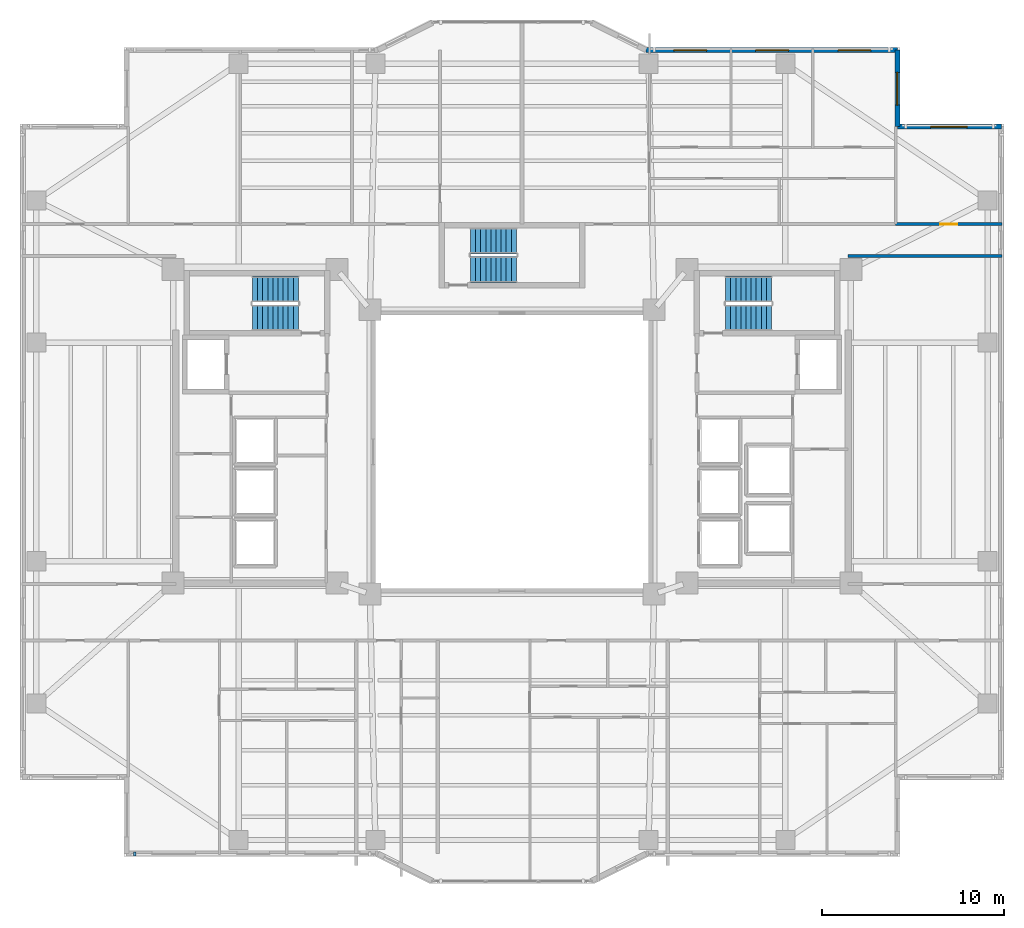
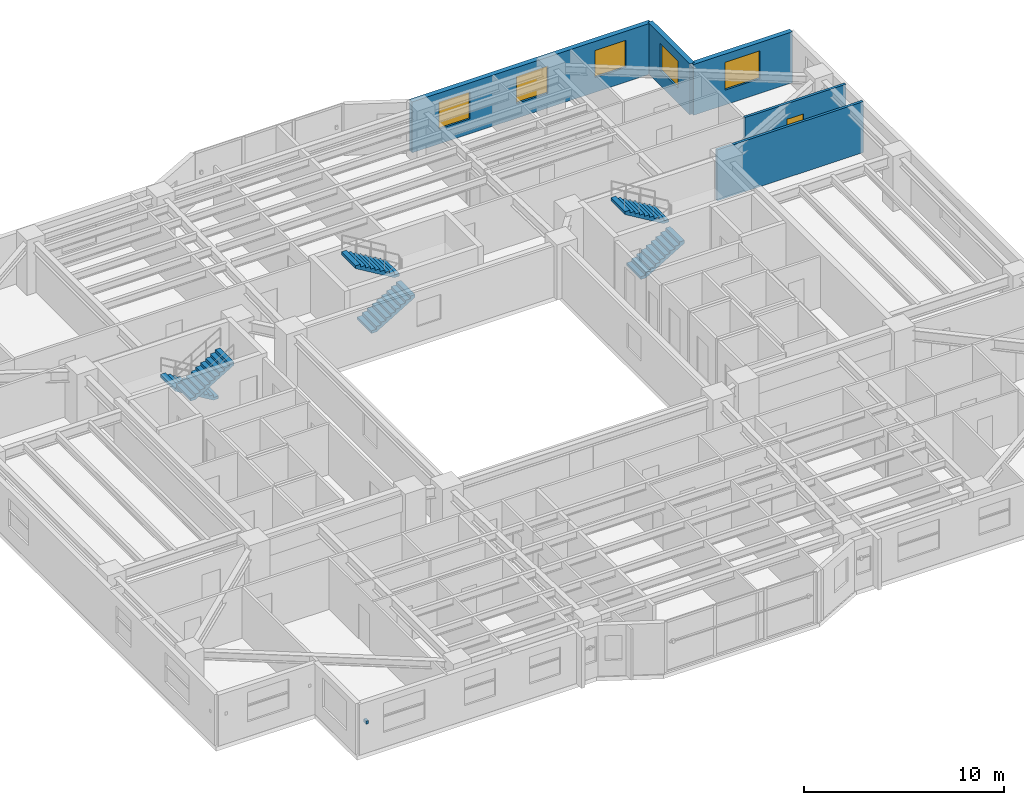
# One storey, part 11 of 18: 6 stair flights, 5 walls, 5 windows, 1 discrete accessory, 1 door, 6 openings, 3 elements without a shape of their own.
"""IFC4 building model written with IfcOpenShell, lengths in metres."""

from ifc_helpers import new_model, si_unit, direction, frame, frame_2d, origin, origin_2d, place, context, subcontext, project, spatial, polyline, rectangle, outline, extrude, material, layer, layer_set, type_object, element, fill, aggregate, save


model = new_model("IFC4")

# Units and contexts
model_context = context("Model", 3, precision=1e-05, world=origin(), true_north=direction((0.0, 1.0)))
body_context = subcontext(model_context, "Body", "Model", "MODEL_VIEW")
ifc_project = project(units=[si_unit("LENGTHUNIT", "METRE"), si_unit("AREAUNIT", "SQUARE_METRE"), si_unit("VOLUMEUNIT", "CUBIC_METRE"), si_unit("PLANEANGLEUNIT", "RADIAN"), si_unit("MASSUNIT", "GRAM", prefix="KILO")], contexts=[model_context])

# Site, building, storey
site_placement = place(None, origin())
site = spatial("IfcSite", under=ifc_project, at=site_placement, CompositionType="ELEMENT")
building_placement = place(site_placement, origin())
building = spatial("IfcBuilding", under=site, at=building_placement, Name="Tarnavaz Court Tower", CompositionType="ELEMENT")
storey_placement = place(building_placement, frame((0.0, 0.0, 88.35009765625)))
storey = spatial("IfcBuildingStorey", under=building, at=storey_placement, Name="L23", CompositionType="ELEMENT", Elevation=88.35009765625)

# Wall, openings, windows
ifc_material_1 = material(Name="Precast Concrete C40/50", Category="concrete")
ifc_layer_1 = layer(ifc_material_1, 0.280029296875)
ifc_layer_set_1 = layer_set([ifc_layer_1], Name="Precast Concrete C40/50")
wall_type_1 = type_object("IfcWallType", Name="WL-EXT-280", PredefinedType="SOLIDWALL", material=ifc_layer_set_1)
wall_1_placement = place(storey_placement, frame((7.35009765625, 22.050048828125, 0.0), z_axis=(0.0, 0.0, 1.0), x_axis=(1.0, 0.0, 0.0)))
wall_1 = element("IfcWall", 1, at=wall_1_placement, inside=storey, type_object=wall_type_1, Name="L23 Exterior Terracotta Facade Wall 09", PredefinedType="SOLIDWALL", context=body_context, shape_type="SweptSolid", body=[
    extrude(rectangle(XDim=13.7998046875, YDim=0.280029296875, at=frame_2d((6.89990234375, 0.0))), origin(), (0.0, 0.0, 1.0), 3.099853515625),
])
opening_1_placement = place(wall_1_placement, frame((1.53369140625, 0.0, 0.89990234375)))
opening_1 = element("IfcOpeningElement", 2, at=opening_1_placement, cuts=wall_1, Name="Opening W01", PredefinedType="OPENING", context=body_context, shape_type="SweptSolid", body=[
    extrude(rectangle(XDim=1.800048828125, YDim=1.64990234375, at=frame_2d((0.89990234375, 0.824951171875))), frame((0.0, 0.14990234375, 0.0), z_axis=(0.0, -1.0, 0.0), x_axis=(1.0, 0.0, 0.0)), (0.0, 0.0, 1.0), 0.300048828125),
])
opening_2_placement = place(wall_1_placement, frame((6.025146484375, 0.0, 0.89990234375)))
opening_2 = element("IfcOpeningElement", 3, at=opening_2_placement, cuts=wall_1, Name="Opening W01", PredefinedType="OPENING", context=body_context, shape_type="SweptSolid", body=[
    extrude(rectangle(XDim=1.800048828125, YDim=1.64990234375, at=frame_2d((0.89990234375, 0.824951171875))), frame((0.0, 0.14990234375, 0.0), z_axis=(0.0, -1.0, 0.0), x_axis=(1.0, 0.0, 0.0)), (0.0, 0.0, 1.0), 0.300048828125),
])
opening_3_placement = place(wall_1_placement, frame((10.54150390625, 0.0, 0.89990234375)))
opening_3 = element("IfcOpeningElement", 4, at=opening_3_placement, cuts=wall_1, Name="Opening W01", PredefinedType="OPENING", context=body_context, shape_type="SweptSolid", body=[
    extrude(rectangle(XDim=1.800048828125, YDim=1.64990234375, at=frame_2d((0.89990234375, 0.824951171875))), frame((0.0, 0.14990234375, 0.0), z_axis=(0.0, -1.0, 0.0), x_axis=(1.0, 0.0, 0.0)), (0.0, 0.0, 1.0), 0.300048828125),
])
ifc_material_2 = material(Name="Double-Glazed Solar Low-E Glass", Category="glass")
window_type_1 = type_object("IfcWindowType", Name="WN-APT-1800", PartitioningType="DOUBLE_PANEL_VERTICAL", PredefinedType="WINDOW", material=ifc_material_2)
window_1_placement = place(opening_1_placement, origin())
window_1 = element("IfcWindow", 5, at=window_1_placement, inside=storey, type_object=window_type_1, Name="L23 Flat 01 Principal Bedroom Window", OverallHeight=1.64990234375, OverallWidth=1.800048828125, PartitioningType="SINGLE_PANEL", PredefinedType="WINDOW", context=body_context, shape_type="SweptSolid", body=[
    extrude(rectangle(XDim=1.800048828125, YDim=1.64990234375, at=frame_2d((0.89990234375, 0.824951171875))), frame((0.0, 0.030029296875, 0.0), z_axis=(0.0, -1.0, 0.0), x_axis=(1.0, 0.0, 0.0)), (0.0, 0.0, 1.0), 0.06005859375),
])
fill(opening_1, window_1)
window_2_placement = place(opening_2_placement, origin())
window_2 = element("IfcWindow", 6, at=window_2_placement, inside=storey, type_object=window_type_1, Name="L23 Flat 01 Bedroom 2 Window", OverallHeight=1.64990234375, OverallWidth=1.800048828125, PartitioningType="SINGLE_PANEL", PredefinedType="WINDOW", context=body_context, shape_type="SweptSolid", body=[
    extrude(rectangle(XDim=1.800048828125, YDim=1.64990234375, at=frame_2d((0.89990234375, 0.824951171875))), frame((0.0, 0.030029296875, 0.0), z_axis=(0.0, -1.0, 0.0), x_axis=(1.0, 0.0, 0.0)), (0.0, 0.0, 1.0), 0.06005859375),
])
fill(opening_2, window_2)
window_3_placement = place(opening_3_placement, origin())
window_3 = element("IfcWindow", 7, at=window_3_placement, inside=storey, type_object=window_type_1, Name="L23 Flat 01 Bedroom 3 Window", OverallHeight=1.64990234375, OverallWidth=1.800048828125, PartitioningType="SINGLE_PANEL", PredefinedType="WINDOW", context=body_context, shape_type="SweptSolid", body=[
    extrude(rectangle(XDim=1.800048828125, YDim=1.64990234375, at=frame_2d((0.89990234375, 0.824951171875))), frame((0.0, 0.030029296875, 0.0), z_axis=(0.0, -1.0, 0.0), x_axis=(1.0, 0.0, 0.0)), (0.0, 0.0, 1.0), 0.06005859375),
])
fill(opening_3, window_3)

# Wall, opening, window
wall_2_placement = place(storey_placement, frame((21.14990234375, 22.050048828125, 0.0), z_axis=(0.0, 0.0, 1.0), x_axis=(0.0, -1.0, 0.0)))
wall_2 = element("IfcWall", 8, at=wall_2_placement, inside=storey, type_object=wall_type_1, Name="L23 Exterior Terracotta Facade Wall 10", PredefinedType="SOLIDWALL", context=body_context, shape_type="SweptSolid", body=[
    extrude(rectangle(XDim=4.199951171875, YDim=0.280029296875, at=frame_2d((2.10009765625, 0.0))), origin(), (0.0, 0.0, 1.0), 3.099853515625),
])
opening_4_placement = place(wall_2_placement, frame((1.2177734375, 0.0, 0.89990234375)))
opening_4 = element("IfcOpeningElement", 9, at=opening_4_placement, cuts=wall_2, Name="Opening W01", PredefinedType="OPENING", context=body_context, shape_type="SweptSolid", body=[
    extrude(rectangle(XDim=1.800048828125, YDim=1.64990234375, at=frame_2d((0.89990234375, 0.824951171875))), frame((0.0, 0.14990234375, 0.0), z_axis=(0.0, -1.0, 0.0), x_axis=(1.0, 0.0, 0.0)), (0.0, 0.0, 1.0), 0.300048828125),
])
window_4_placement = place(opening_4_placement, origin())
window_4 = element("IfcWindow", 10, at=window_4_placement, inside=storey, type_object=window_type_1, Name="L23 Flat 01 Bedroom 3 Window", OverallHeight=1.64990234375, OverallWidth=1.800048828125, PartitioningType="SINGLE_PANEL", PredefinedType="WINDOW", context=body_context, shape_type="SweptSolid", body=[
    extrude(rectangle(XDim=1.800048828125, YDim=1.64990234375, at=frame_2d((0.89990234375, 0.824951171875))), frame((0.0, 0.030029296875, 0.0), z_axis=(0.0, -1.0, 0.0), x_axis=(1.0, 0.0, 0.0)), (0.0, 0.0, 1.0), 0.06005859375),
])
fill(opening_4, window_4)

wall_3_placement = place(storey_placement, frame((21.14990234375, 17.85009765625, 0.0), z_axis=(0.0, 0.0, 1.0), x_axis=(1.0, 0.0, 0.0)))
wall_3 = element("IfcWall", 11, at=wall_3_placement, inside=storey, type_object=wall_type_1, Name="L23 Exterior Terracotta Facade Wall 11", PredefinedType="SOLIDWALL", context=body_context, shape_type="SweptSolid", body=[
    extrude(rectangle(XDim=5.7001953125, YDim=0.280029296875, at=frame_2d((2.85009765625, 0.0))), origin(), (0.0, 0.0, 1.0), 3.099853515625),
])
opening_5_placement = place(wall_3_placement, frame((1.824951171875, 0.0, 0.89990234375)))
opening_5 = element("IfcOpeningElement", 12, at=opening_5_placement, cuts=wall_3, Name="Opening W08", PredefinedType="OPENING", context=body_context, shape_type="SweptSolid", body=[
    extrude(rectangle(XDim=2.0, YDim=1.699951171875, at=frame_2d((1.0, 0.85009765625))), frame((0.0, 0.14990234375, 0.0), z_axis=(0.0, -1.0, 0.0), x_axis=(1.0, 0.0, 0.0)), (0.0, 0.0, 1.0), 0.300048828125),
])
window_type_2 = type_object("IfcWindowType", Name="WN-APT-2000", PartitioningType="DOUBLE_PANEL_VERTICAL", PredefinedType="WINDOW", material=ifc_material_2)
window_5_placement = place(opening_5_placement, origin())
window_5 = element("IfcWindow", 13, at=window_5_placement, inside=storey, type_object=window_type_2, Name="L23 North-East Corner Sunroom Study Window", OverallHeight=1.699951171875, OverallWidth=2.0, PartitioningType="SINGLE_PANEL", PredefinedType="WINDOW", context=body_context, shape_type="SweptSolid", body=[
    extrude(rectangle(XDim=2.0, YDim=1.699951171875, at=frame_2d((1.0, 0.85009765625))), frame((0.0, 0.030029296875, 0.0), z_axis=(0.0, -1.0, 0.0), x_axis=(1.0, 0.0, 0.0)), (0.0, 0.0, 1.0), 0.06005859375),
])
fill(opening_5, window_5)

# Wall
ifc_material_3 = material(Name="Gypsum Fire-Board on Acoustic Metal Stud", Category="masonry")
ifc_layer_2 = layer(ifc_material_3, 0.14990234375)
ifc_layer_set_2 = layer_set([ifc_layer_2], Name="Gypsum Fire-Board on Acoustic Metal Stud")
wall_type_2 = type_object("IfcWallType", Name="WL-FIRE-150", PredefinedType="PARTITIONING", material=ifc_layer_set_2)
wall_4_placement = place(storey_placement, frame((18.449951171875, 10.75, 0.0), z_axis=(0.0, 0.0, 1.0), x_axis=(1.0, 0.0, 0.0)))
element("IfcWall", 14, at=wall_4_placement, inside=storey, type_object=wall_type_2, Name="L23 Interior Partition 115", PredefinedType="PARTITIONING", context=body_context, shape_type="SweptSolid", body=[
    extrude(rectangle(XDim=8.429931640625, YDim=0.14990234375, at=frame_2d((4.21484375, 0.0))), origin(), (0.0, 0.0, 1.0), 3.099853515625),
])

# Wall, opening, door
wall_5_placement = place(storey_placement, frame((21.050048828125, 12.5, 0.0), z_axis=(0.0, 0.0, 1.0), x_axis=(1.0, 0.0, 0.0)))
wall_5 = element("IfcWall", 15, at=wall_5_placement, inside=storey, type_object=wall_type_2, Name="L23 Interior Partition 121", PredefinedType="PARTITIONING", context=body_context, shape_type="SweptSolid", body=[
    extrude(rectangle(XDim=5.829833984375, YDim=0.14990234375, at=frame_2d((2.9150390625, 0.0))), origin(), (0.0, 0.0, 1.0), 3.099853515625),
])
opening_6_placement = place(wall_5_placement, frame((2.43994140625, 0.0, 0.0)))
opening_6 = element("IfcOpeningElement", 16, at=opening_6_placement, cuts=wall_5, Name="Opening D13", PredefinedType="OPENING", context=body_context, shape_type="SweptSolid", body=[
    extrude(rectangle(XDim=0.949951171875, YDim=2.14990234375, at=frame_2d((0.47509765625, 1.074951171875))), frame((0.0, 0.0849609375, 0.0), z_axis=(0.0, -1.0, 0.0), x_axis=(1.0, 0.0, 0.0)), (0.0, 0.0, 1.0), 0.169921875),
])
ifc_material_4 = material(Name="Engineered Oak Timber", Category="wood")
door_type = type_object("IfcDoorType", Name="DR-INT-950", OperationType="NOTDEFINED", PredefinedType="DOOR", material=ifc_material_4)
door_placement = place(opening_6_placement, origin())
door = element("IfcDoor", 17, at=door_placement, inside=storey, type_object=door_type, Name="L23 NE Sunroom Door", OperationType="SINGLE_SWING_LEFT", OverallHeight=2.14990234375, OverallWidth=0.949951171875, PredefinedType="DOOR", context=body_context, shape_type="SweptSolid", body=[
    extrude(rectangle(XDim=0.949951171875, YDim=2.14990234375, at=frame_2d((0.47509765625, 1.074951171875))), frame((0.0, 0.02490234375, 0.0), z_axis=(0.0, -1.0, 0.0), x_axis=(1.0, 0.0, 0.0)), (0.0, 0.0, 1.0), 0.050048828125),
])
fill(opening_6, door)

# Stair, stair flights
ifc_material_5 = material(Name="Concrete C40/50", Category="concrete")
stair_type = type_object("IfcStairType", Name="ST-TWR-20R", PredefinedType="HALF_TURN_STAIR", material=ifc_material_5)
stair_1_placement = place(storey_placement, origin())
stair_1 = element("IfcStair", 18, at=stair_1_placement, inside=storey, type_object=stair_type, Name="L23 West Core Pressurized Exit Stair ST-W1", PredefinedType="HALF_TURN_STAIR")
stair_flight_type = type_object("IfcStairFlightType", Name="SFL-RC-20R", PredefinedType="STRAIGHT", material=ifc_material_5)
stair_flight_1_placement = place(storey_placement, frame((-11.719970703125, 8.929931640625, 0.0), z_axis=(0.0, 0.0, 1.0), x_axis=(-1.0, 0.0, 0.0)))
stair_flight_1 = element("IfcStairFlight", 19, at=stair_flight_1_placement, type_object=stair_flight_type, Name="ST-W1 flight 1", NumberOfRisers=10, NumberOfTreads=9, PredefinedType="STRAIGHT", RiserHeight=0.1675, TreadLength=0.28, context=body_context, shape_type="SweptSolid", body=[
    extrude(outline(polyline([(0.0, 0.0), (0.0, 0.16748046875), (0.280029296875, 0.16748046875), (0.280029296875, 0.3349609375), (0.56005859375, 0.3349609375), (0.56005859375, 0.50244140625), (0.840087890625, 0.50244140625), (0.840087890625, 0.669921875), (1.1201171875, 0.669921875), (1.1201171875, 0.83740234375), (1.39990234375, 0.83740234375), (1.39990234375, 1.0048828125), (1.679931640625, 1.0048828125), (1.679931640625, 1.172607421875), (1.9599609375, 1.172607421875), (1.9599609375, 1.340087890625), (2.239990234375, 1.340087890625), (2.239990234375, 1.507568359375), (2.52001953125, 1.507568359375), (2.52001953125, 1.675048828125), (2.52001953125, 1.332763671875), (0.2919921875, 0.0), (0.0, 0.0)])), frame((0.0, 0.7099609375, 0.0), z_axis=(0.0, -1.0, 0.0), x_axis=(1.0, 0.0, 0.0)), (0.0, 0.0, 1.0), 1.419921875),
])
stair_flight_2_placement = place(storey_placement, frame((-14.239990234375, 7.360107421875, 1.6748046875), z_axis=(0.0, 0.0, 1.0), x_axis=(1.0, 0.0, 0.0)))
stair_flight_2 = element("IfcStairFlight", 20, at=stair_flight_2_placement, type_object=stair_flight_type, Name="ST-W1 flight 2", NumberOfRisers=10, NumberOfTreads=9, PredefinedType="STRAIGHT", RiserHeight=0.1675, TreadLength=0.28, context=body_context, shape_type="SweptSolid", body=[
    extrude(outline(polyline([(0.0, 0.0), (0.0, 0.16748046875), (0.280029296875, 0.16748046875), (0.280029296875, 0.3349609375), (0.56005859375, 0.3349609375), (0.56005859375, 0.50244140625), (0.840087890625, 0.50244140625), (0.840087890625, 0.669921875), (1.1201171875, 0.669921875), (1.1201171875, 0.83740234375), (1.39990234375, 0.83740234375), (1.39990234375, 1.0048828125), (1.679931640625, 1.0048828125), (1.679931640625, 1.172607421875), (1.9599609375, 1.172607421875), (1.9599609375, 1.340087890625), (2.239990234375, 1.340087890625), (2.239990234375, 1.507568359375), (2.52001953125, 1.507568359375), (2.52001953125, 1.675048828125), (2.52001953125, 1.332763671875), (0.2919921875, 0.0), (0.0, 0.0)])), frame((0.0, 0.7099609375, 0.0), z_axis=(0.0, -1.0, 0.0), x_axis=(1.0, 0.0, 0.0)), (0.0, 0.0, 1.0), 1.419921875),
])
aggregate(stair_1, [stair_flight_1, stair_flight_2])

stair_2_placement = place(storey_placement, origin())
stair_2 = element("IfcStair", 21, at=stair_2_placement, inside=storey, type_object=stair_type, Name="L23 East Core Pressurized Exit Stair ST-E1", PredefinedType="HALF_TURN_STAIR")
stair_flight_3_placement = place(storey_placement, frame((11.719970703125, 7.360107421875, 0.0), z_axis=(0.0, 0.0, 1.0), x_axis=(1.0, 0.0, 0.0)))
stair_flight_3 = element("IfcStairFlight", 22, at=stair_flight_3_placement, type_object=stair_flight_type, Name="ST-E1 flight 1", NumberOfRisers=10, NumberOfTreads=9, PredefinedType="STRAIGHT", RiserHeight=0.1675, TreadLength=0.28, context=body_context, shape_type="SweptSolid", body=[
    extrude(outline(polyline([(0.0, 0.0), (0.0, 0.16748046875), (0.280029296875, 0.16748046875), (0.280029296875, 0.3349609375), (0.56005859375, 0.3349609375), (0.56005859375, 0.50244140625), (0.840087890625, 0.50244140625), (0.840087890625, 0.669921875), (1.1201171875, 0.669921875), (1.1201171875, 0.83740234375), (1.39990234375, 0.83740234375), (1.39990234375, 1.0048828125), (1.679931640625, 1.0048828125), (1.679931640625, 1.172607421875), (1.9599609375, 1.172607421875), (1.9599609375, 1.340087890625), (2.239990234375, 1.340087890625), (2.239990234375, 1.507568359375), (2.52001953125, 1.507568359375), (2.52001953125, 1.675048828125), (2.52001953125, 1.332763671875), (0.2919921875, 0.0), (0.0, 0.0)])), frame((0.0, 0.7099609375, 0.0), z_axis=(0.0, -1.0, 0.0), x_axis=(1.0, 0.0, 0.0)), (0.0, 0.0, 1.0), 1.419921875),
])
stair_flight_4_placement = place(storey_placement, frame((14.239990234375, 8.929931640625, 1.6748046875), z_axis=(0.0, 0.0, 1.0), x_axis=(-1.0, 0.0, 0.0)))
stair_flight_4 = element("IfcStairFlight", 23, at=stair_flight_4_placement, type_object=stair_flight_type, Name="ST-E1 flight 2", NumberOfRisers=10, NumberOfTreads=9, PredefinedType="STRAIGHT", RiserHeight=0.1675, TreadLength=0.28, context=body_context, shape_type="SweptSolid", body=[
    extrude(outline(polyline([(0.0, 0.0), (0.0, 0.16748046875), (0.280029296875, 0.16748046875), (0.280029296875, 0.3349609375), (0.56005859375, 0.3349609375), (0.56005859375, 0.50244140625), (0.840087890625, 0.50244140625), (0.840087890625, 0.669921875), (1.1201171875, 0.669921875), (1.1201171875, 0.83740234375), (1.39990234375, 0.83740234375), (1.39990234375, 1.0048828125), (1.679931640625, 1.0048828125), (1.679931640625, 1.172607421875), (1.9599609375, 1.172607421875), (1.9599609375, 1.340087890625), (2.239990234375, 1.340087890625), (2.239990234375, 1.507568359375), (2.52001953125, 1.507568359375), (2.52001953125, 1.675048828125), (2.52001953125, 1.332763671875), (0.2919921875, 0.0), (0.0, 0.0)])), frame((0.0, 0.7099609375, 0.0), z_axis=(0.0, -1.0, 0.0), x_axis=(1.0, 0.0, 0.0)), (0.0, 0.0, 1.0), 1.419921875),
])
aggregate(stair_2, [stair_flight_3, stair_flight_4])

stair_3_placement = place(storey_placement, origin())
stair_3 = element("IfcStair", 24, at=stair_3_placement, inside=storey, type_object=stair_type, Name="L23 North Ring Pressurized Exit Stair ST-N1", PredefinedType="HALF_TURN_STAIR")
stair_flight_5_placement = place(storey_placement, frame((-2.280029296875, 10.010009765625, 0.0), z_axis=(0.0, 0.0, 1.0), x_axis=(1.0, 0.0, 0.0)))
stair_flight_5 = element("IfcStairFlight", 25, at=stair_flight_5_placement, type_object=stair_flight_type, Name="ST-N1 flight 1", NumberOfRisers=10, NumberOfTreads=9, PredefinedType="STRAIGHT", RiserHeight=0.1675, TreadLength=0.28, context=body_context, shape_type="SweptSolid", body=[
    extrude(outline(polyline([(0.0, 0.0), (0.0, 0.16748046875), (0.280029296875, 0.16748046875), (0.280029296875, 0.3349609375), (0.56005859375, 0.3349609375), (0.56005859375, 0.50244140625), (0.840087890625, 0.50244140625), (0.840087890625, 0.669921875), (1.1201171875, 0.669921875), (1.1201171875, 0.83740234375), (1.39990234375, 0.83740234375), (1.39990234375, 1.0048828125), (1.679931640625, 1.0048828125), (1.679931640625, 1.172607421875), (1.9599609375, 1.172607421875), (1.9599609375, 1.340087890625), (2.239990234375, 1.340087890625), (2.239990234375, 1.507568359375), (2.52001953125, 1.507568359375), (2.52001953125, 1.675048828125), (2.52001953125, 1.332763671875), (0.2919921875, 0.0), (0.0, 0.0)])), frame((0.0, 0.7099609375, 0.0), z_axis=(0.0, -1.0, 0.0), x_axis=(1.0, 0.0, 0.0)), (0.0, 0.0, 1.0), 1.419921875),
])
stair_flight_6_placement = place(storey_placement, frame((0.239990234375, 11.580078125, 1.6748046875), z_axis=(0.0, 0.0, 1.0), x_axis=(-1.0, 0.0, 0.0)))
stair_flight_6 = element("IfcStairFlight", 26, at=stair_flight_6_placement, type_object=stair_flight_type, Name="ST-N1 flight 2", NumberOfRisers=10, NumberOfTreads=9, PredefinedType="STRAIGHT", RiserHeight=0.1675, TreadLength=0.28, context=body_context, shape_type="SweptSolid", body=[
    extrude(outline(polyline([(0.0, 0.0), (0.0, 0.16748046875), (0.280029296875, 0.16748046875), (0.280029296875, 0.3349609375), (0.56005859375, 0.3349609375), (0.56005859375, 0.50244140625), (0.840087890625, 0.50244140625), (0.840087890625, 0.669921875), (1.1201171875, 0.669921875), (1.1201171875, 0.83740234375), (1.39990234375, 0.83740234375), (1.39990234375, 1.0048828125), (1.679931640625, 1.0048828125), (1.679931640625, 1.172607421875), (1.9599609375, 1.172607421875), (1.9599609375, 1.340087890625), (2.239990234375, 1.340087890625), (2.239990234375, 1.507568359375), (2.52001953125, 1.507568359375), (2.52001953125, 1.675048828125), (2.52001953125, 1.332763671875), (0.2919921875, 0.0), (0.0, 0.0)])), frame((0.0, 0.7099609375, 0.0), z_axis=(0.0, -1.0, 0.0), x_axis=(1.0, 0.0, 0.0)), (0.0, 0.0, 1.0), 1.419921875),
])
aggregate(stair_3, [stair_flight_5, stair_flight_6])

# Discrete accessory
ifc_material_6 = material(Name="Anodised Aluminium 6063-T6", Category="aluminium")
discrete_accessory_type = type_object("IfcDiscreteAccessoryType", Name="DA-BRKT-ALU", PredefinedType="BRACKET", material=ifc_material_6)
discrete_accessory_placement = place(storey_placement, frame((-20.699951171875, -22.070068359375, 1.75), z_axis=(0.0, 0.0, 1.0), x_axis=(-1.0, 0.0, 0.0)))
element("IfcDiscreteAccessory", 27, at=discrete_accessory_placement, inside=storey, type_object=discrete_accessory_type, Name="L23 Baguette Outrigger Bracket FBG19-2", PredefinedType="BRACKET", context=body_context, shape_type="SweptSolid", body=[
    extrude(rectangle(XDim=0.139892578125, YDim=0.239990234375, at=origin_2d()), origin(), (0.0, 0.0, 1.0), 0.199951171875),
])

save(model, "model.ifc")
